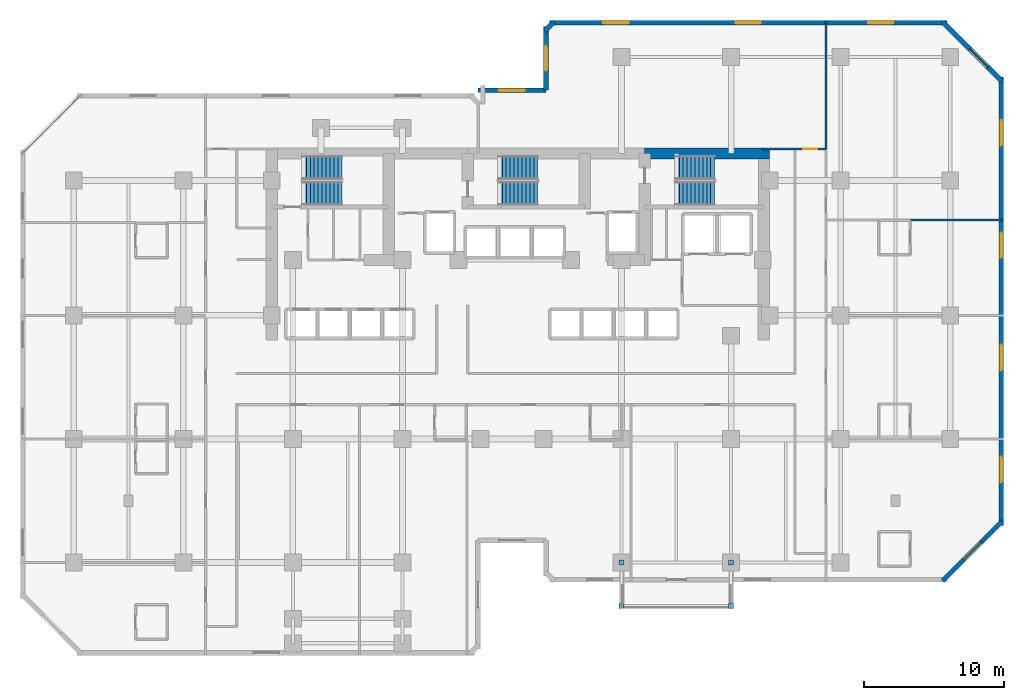
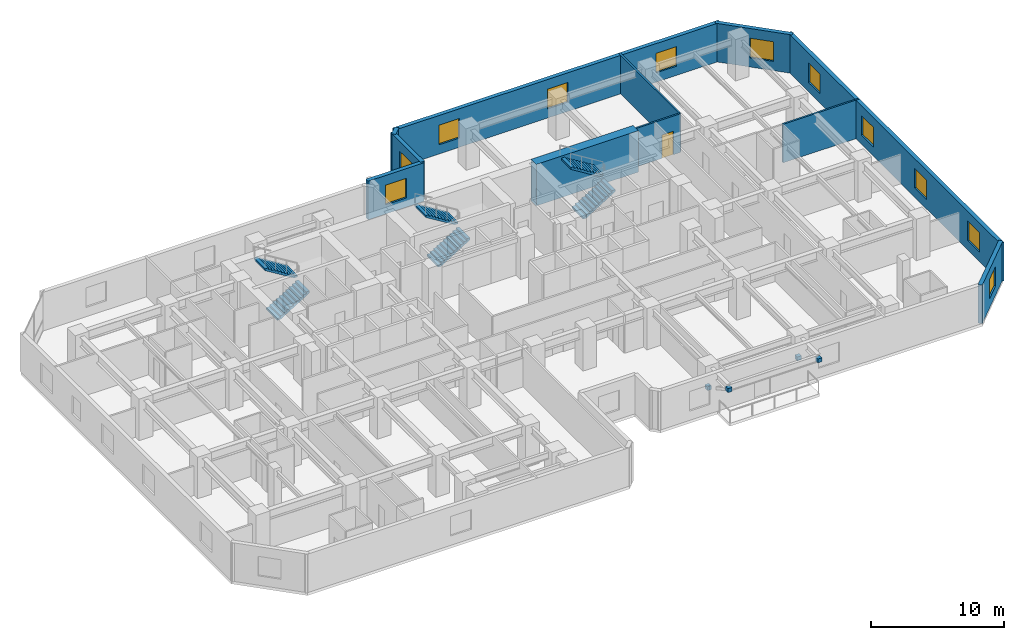
# One storey, part 9 of 11: 11 walls, 11 windows, 6 stair flights, 4 discrete accessories, 1 door, 12 openings, 3 elements without a shape of their own.
"""IFC4 building model written with IfcOpenShell, lengths in metres."""

from ifc_helpers import new_model, si_unit, direction, frame, frame_2d, origin, origin_2d, place, context, subcontext, project, spatial, polyline, rectangle, outline, extrude, material, layer, layer_set, type_object, element, fill, aggregate, save


model = new_model("IFC4")

# Units and contexts
model_context = context("Model", 3, precision=1e-05, world=origin(), true_north=direction((0.0, 1.0)))
body_context = subcontext(model_context, "Body", "Model", "MODEL_VIEW")
ifc_project = project(units=[si_unit("LENGTHUNIT", "METRE"), si_unit("AREAUNIT", "SQUARE_METRE"), si_unit("VOLUMEUNIT", "CUBIC_METRE"), si_unit("PLANEANGLEUNIT", "RADIAN"), si_unit("MASSUNIT", "GRAM", prefix="KILO")], contexts=[model_context])

# Site, building, storey
site_placement = place(None, origin())
site = spatial("IfcSite", under=ifc_project, at=site_placement, CompositionType="ELEMENT")
building_placement = place(site_placement, origin())
building = spatial("IfcBuilding", under=site, at=building_placement, Name="Kestravale Grand Hotel", CompositionType="ELEMENT")
storey_placement = place(building_placement, frame((0.0, 0.0, 107.0)))
storey = spatial("IfcBuildingStorey", under=building, at=storey_placement, Name="L26", CompositionType="ELEMENT", Elevation=107.0)

# Wall
ifc_material_1 = material(Name="Concrete f'c 60 MPa", Category="concrete")
ifc_layer_1 = layer(ifc_material_1, 0.800048828125)
ifc_layer_set_1 = layer_set([ifc_layer_1], Name="EW-CORE-800")
wall_type_1 = type_object("IfcWallType", Name="EW-CORE-800", PredefinedType="SHEAR", material=ifc_layer_set_1)
wall_1_placement = place(storey_placement, frame((48.449951171875, 40.320068359375, 0.0), z_axis=(0.0, 0.0, 1.0), x_axis=(1.0, 0.0, 0.0)))
element("IfcWall", 1, at=wall_1_placement, inside=storey, type_object=wall_type_1, Name="L26 core shear wall N3", PredefinedType="SHEAR", context=body_context, shape_type="SweptSolid", body=[
    extrude(rectangle(XDim=8.8701171875, YDim=0.800048828125, at=frame_2d((4.43505859375, 0.0))), origin(), (0.0, 0.0, 1.0), 3.800048828125),
])

# Wall, opening, window
ifc_material_2 = material(Name="Precast concrete f'c 45 MPa", Category="concrete")
ifc_layer_2 = layer(ifc_material_2, 0.340087890625)
ifc_layer_set_2 = layer_set([ifc_layer_2], Name="EW-PREC-340")
wall_type_2 = type_object("IfcWallType", Name="EW-PREC-340", PredefinedType="SOLIDWALL", material=ifc_layer_set_2)
wall_2_placement = place(storey_placement, frame((69.651611328125, 9.891845703125, 0.0), z_axis=(0.0, 0.0, 1.0), x_axis=(0.707106781187, 0.707106781187, 0.0)))
wall_2 = element("IfcWall", 2, at=wall_2_placement, inside=storey, type_object=wall_type_2, Name="L26 fluted precast facade wall 8", PredefinedType="SOLIDWALL", context=body_context, shape_type="SweptSolid", body=[
    extrude(rectangle(XDim=6.019775390625, YDim=0.340087890625, at=frame_2d((3.009765625, 0.0))), origin(), (0.0, 0.0, 1.0), 3.5400390625),
])
opening_1_placement = place(wall_2_placement, frame((2.10986328125, 0.0, 0.85009765625)))
opening_1 = element("IfcOpeningElement", 3, at=opening_1_placement, cuts=wall_2, Name="Opening W-GUEST-1800", PredefinedType="OPENING", context=body_context, shape_type="SweptSolid", body=[
    extrude(rectangle(XDim=1.800048828125, YDim=1.800048828125, at=frame_2d((0.89990234375, 0.89990234375))), frame((0.0, 0.179931640625, 0.0), z_axis=(0.0, -1.0, 0.0), x_axis=(1.0, 0.0, 0.0)), (0.0, 0.0, 1.0), 0.360107421875),
])
ifc_material_3 = material(Name="Insulated low-E double glazing in aluminium frame", Category="aluminium")
window_type = type_object("IfcWindowType", Name="W-GUEST-1800", PartitioningType="DOUBLE_PANEL_VERTICAL", PredefinedType="WINDOW", material=ifc_material_3)
window_1_placement = place(opening_1_placement, origin())
window_1 = element("IfcWindow", 4, at=window_1_placement, inside=storey, type_object=window_type, Name="L26 exterior window 8.1", OverallHeight=1.800048828125, OverallWidth=1.800048828125, PartitioningType="SINGLE_PANEL", PredefinedType="WINDOW", context=body_context, shape_type="SweptSolid", body=[
    extrude(rectangle(XDim=1.800048828125, YDim=1.800048828125, at=frame_2d((0.89990234375, 0.89990234375))), frame((0.0, 0.030029296875, 0.0), z_axis=(0.0, -1.0, 0.0), x_axis=(1.0, 0.0, 0.0)), (0.0, 0.0, 1.0), 0.06005859375),
])
fill(opening_1, window_1)

# Wall, openings, windows
wall_3_placement = place(storey_placement, frame((73.830078125, 13.830078125, 0.0), z_axis=(0.0, 0.0, 1.0), x_axis=(0.0, 1.0, 0.0)))
wall_3 = element("IfcWall", 5, at=wall_3_placement, inside=storey, type_object=wall_type_2, Name="L26 fluted precast facade wall 9", PredefinedType="SOLIDWALL", context=body_context, shape_type="SweptSolid", body=[
    extrude(rectangle(XDim=31.93994140625, YDim=0.340087890625, at=frame_2d((15.969970703125, 0.0))), origin(), (0.0, 0.0, 1.0), 3.5400390625),
])
opening_2_placement = place(wall_3_placement, frame((3.092529296875, 0.0, 0.85009765625)))
opening_2 = element("IfcOpeningElement", 6, at=opening_2_placement, cuts=wall_3, Name="Opening W-GUEST-1800", PredefinedType="OPENING", context=body_context, shape_type="SweptSolid", body=[
    extrude(rectangle(XDim=1.800048828125, YDim=1.800048828125, at=frame_2d((0.89990234375, 0.89990234375))), frame((0.0, 0.179931640625, 0.0), z_axis=(0.0, -1.0, 0.0), x_axis=(1.0, 0.0, 0.0)), (0.0, 0.0, 1.0), 0.360107421875),
])
opening_3_placement = place(wall_3_placement, frame((11.077392578125, 0.0, 0.85009765625)))
opening_3 = element("IfcOpeningElement", 7, at=opening_3_placement, cuts=wall_3, Name="Opening W-GUEST-1800", PredefinedType="OPENING", context=body_context, shape_type="SweptSolid", body=[
    extrude(rectangle(XDim=1.800048828125, YDim=1.800048828125, at=frame_2d((0.89990234375, 0.89990234375))), frame((0.0, 0.179931640625, 0.0), z_axis=(0.0, -1.0, 0.0), x_axis=(1.0, 0.0, 0.0)), (0.0, 0.0, 1.0), 0.360107421875),
])
opening_4_placement = place(wall_3_placement, frame((19.0625, 0.0, 0.85009765625)))
opening_4 = element("IfcOpeningElement", 8, at=opening_4_placement, cuts=wall_3, Name="Opening W-GUEST-1800", PredefinedType="OPENING", context=body_context, shape_type="SweptSolid", body=[
    extrude(rectangle(XDim=1.800048828125, YDim=1.800048828125, at=frame_2d((0.89990234375, 0.89990234375))), frame((0.0, 0.179931640625, 0.0), z_axis=(0.0, -1.0, 0.0), x_axis=(1.0, 0.0, 0.0)), (0.0, 0.0, 1.0), 0.360107421875),
])
opening_5_placement = place(wall_3_placement, frame((27.047607421875, 0.0, 0.85009765625)))
opening_5 = element("IfcOpeningElement", 9, at=opening_5_placement, cuts=wall_3, Name="Opening W-GUEST-1800", PredefinedType="OPENING", context=body_context, shape_type="SweptSolid", body=[
    extrude(rectangle(XDim=1.800048828125, YDim=1.800048828125, at=frame_2d((0.89990234375, 0.89990234375))), frame((0.0, 0.179931640625, 0.0), z_axis=(0.0, -1.0, 0.0), x_axis=(1.0, 0.0, 0.0)), (0.0, 0.0, 1.0), 0.360107421875),
])
window_2_placement = place(opening_2_placement, origin())
window_2 = element("IfcWindow", 10, at=window_2_placement, inside=storey, type_object=window_type, Name="L26 exterior window 9.1", OverallHeight=1.800048828125, OverallWidth=1.800048828125, PartitioningType="SINGLE_PANEL", PredefinedType="WINDOW", context=body_context, shape_type="SweptSolid", body=[
    extrude(rectangle(XDim=1.800048828125, YDim=1.800048828125, at=frame_2d((0.89990234375, 0.89990234375))), frame((0.0, 0.030029296875, 0.0), z_axis=(0.0, -1.0, 0.0), x_axis=(1.0, 0.0, 0.0)), (0.0, 0.0, 1.0), 0.06005859375),
])
fill(opening_2, window_2)
window_3_placement = place(opening_3_placement, origin())
window_3 = element("IfcWindow", 11, at=window_3_placement, inside=storey, type_object=window_type, Name="L26 exterior window 9.2", OverallHeight=1.800048828125, OverallWidth=1.800048828125, PartitioningType="SINGLE_PANEL", PredefinedType="WINDOW", context=body_context, shape_type="SweptSolid", body=[
    extrude(rectangle(XDim=1.800048828125, YDim=1.800048828125, at=frame_2d((0.89990234375, 0.89990234375))), frame((0.0, 0.030029296875, 0.0), z_axis=(0.0, -1.0, 0.0), x_axis=(1.0, 0.0, 0.0)), (0.0, 0.0, 1.0), 0.06005859375),
])
fill(opening_3, window_3)
window_4_placement = place(opening_4_placement, origin())
window_4 = element("IfcWindow", 12, at=window_4_placement, inside=storey, type_object=window_type, Name="L26 exterior window 9.3", OverallHeight=1.800048828125, OverallWidth=1.800048828125, PartitioningType="SINGLE_PANEL", PredefinedType="WINDOW", context=body_context, shape_type="SweptSolid", body=[
    extrude(rectangle(XDim=1.800048828125, YDim=1.800048828125, at=frame_2d((0.89990234375, 0.89990234375))), frame((0.0, 0.030029296875, 0.0), z_axis=(0.0, -1.0, 0.0), x_axis=(1.0, 0.0, 0.0)), (0.0, 0.0, 1.0), 0.06005859375),
])
fill(opening_4, window_4)
window_5_placement = place(opening_5_placement, origin())
window_5 = element("IfcWindow", 13, at=window_5_placement, inside=storey, type_object=window_type, Name="L26 exterior window 9.4", OverallHeight=1.800048828125, OverallWidth=1.800048828125, PartitioningType="SINGLE_PANEL", PredefinedType="WINDOW", context=body_context, shape_type="SweptSolid", body=[
    extrude(rectangle(XDim=1.800048828125, YDim=1.800048828125, at=frame_2d((0.89990234375, 0.89990234375))), frame((0.0, 0.030029296875, 0.0), z_axis=(0.0, -1.0, 0.0), x_axis=(1.0, 0.0, 0.0)), (0.0, 0.0, 1.0), 0.06005859375),
])
fill(opening_5, window_5)

# Wall, opening, window
wall_4_placement = place(storey_placement, frame((73.908203125, 45.451416015625, 0.0), z_axis=(0.0, 0.0, 1.0), x_axis=(-0.707106781187, 0.707106781187, 0.0)))
wall_4 = element("IfcWall", 14, at=wall_4_placement, inside=storey, type_object=wall_type_2, Name="L26 fluted precast facade wall 10", PredefinedType="SOLIDWALL", context=body_context, shape_type="SweptSolid", body=[
    extrude(rectangle(XDim=6.019775390625, YDim=0.340087890625, at=frame_2d((3.009765625, 0.0))), origin(), (0.0, 0.0, 1.0), 3.5400390625),
])
opening_6_placement = place(wall_4_placement, frame((1.4599609375, 0.0, 0.85009765625)))
opening_6 = element("IfcOpeningElement", 15, at=opening_6_placement, cuts=wall_4, Name="Opening W-GUEST-1800", PredefinedType="OPENING", context=body_context, shape_type="SweptSolid", body=[
    extrude(rectangle(XDim=1.800048828125, YDim=1.800048828125, at=frame_2d((0.89990234375, 0.89990234375))), frame((0.0, 0.179931640625, 0.0), z_axis=(0.0, -1.0, 0.0), x_axis=(1.0, 0.0, 0.0)), (0.0, 0.0, 1.0), 0.360107421875),
])
window_6_placement = place(opening_6_placement, origin())
window_6 = element("IfcWindow", 16, at=window_6_placement, inside=storey, type_object=window_type, Name="L26 exterior window 10.1", OverallHeight=1.800048828125, OverallWidth=1.800048828125, PartitioningType="SINGLE_PANEL", PredefinedType="WINDOW", context=body_context, shape_type="SweptSolid", body=[
    extrude(rectangle(XDim=1.800048828125, YDim=1.800048828125, at=frame_2d((0.89990234375, 0.89990234375))), frame((0.0, 0.030029296875, 0.0), z_axis=(0.0, -1.0, 0.0), x_axis=(1.0, 0.0, 0.0)), (0.0, 0.0, 1.0), 0.06005859375),
])
fill(opening_6, window_6)

# Wall, openings, windows
wall_5_placement = place(storey_placement, frame((69.969970703125, 49.6298828125, 0.0), z_axis=(0.0, 0.0, 1.0), x_axis=(-1.0, 0.0, 0.0)))
wall_5 = element("IfcWall", 17, at=wall_5_placement, inside=storey, type_object=wall_type_2, Name="L26 fluted precast facade wall 11", PredefinedType="SOLIDWALL", context=body_context, shape_type="SweptSolid", body=[
    extrude(rectangle(XDim=28.2900390625, YDim=0.340087890625, at=frame_2d((14.14501953125, 0.0))), origin(), (0.0, 0.0, 1.0), 3.5400390625),
])
opening_7_placement = place(wall_5_placement, frame((3.81494140625, 0.0, 0.85009765625)))
opening_7 = element("IfcOpeningElement", 18, at=opening_7_placement, cuts=wall_5, Name="Opening W-GUEST-1800", PredefinedType="OPENING", context=body_context, shape_type="SweptSolid", body=[
    extrude(rectangle(XDim=1.800048828125, YDim=1.800048828125, at=frame_2d((0.89990234375, 0.89990234375))), frame((0.0, 0.179931640625, 0.0), z_axis=(0.0, -1.0, 0.0), x_axis=(1.0, 0.0, 0.0)), (0.0, 0.0, 1.0), 0.360107421875),
])
opening_8_placement = place(wall_5_placement, frame((13.2451171875, 0.0, 0.85009765625)))
opening_8 = element("IfcOpeningElement", 19, at=opening_8_placement, cuts=wall_5, Name="Opening W-GUEST-1800", PredefinedType="OPENING", context=body_context, shape_type="SweptSolid", body=[
    extrude(rectangle(XDim=1.800048828125, YDim=1.800048828125, at=frame_2d((0.89990234375, 0.89990234375))), frame((0.0, 0.179931640625, 0.0), z_axis=(0.0, -1.0, 0.0), x_axis=(1.0, 0.0, 0.0)), (0.0, 0.0, 1.0), 0.360107421875),
])
opening_9_placement = place(wall_5_placement, frame((22.675048828125, 0.0, 0.85009765625)))
opening_9 = element("IfcOpeningElement", 20, at=opening_9_placement, cuts=wall_5, Name="Opening W-GUEST-1800", PredefinedType="OPENING", context=body_context, shape_type="SweptSolid", body=[
    extrude(rectangle(XDim=1.800048828125, YDim=1.800048828125, at=frame_2d((0.89990234375, 0.89990234375))), frame((0.0, 0.179931640625, 0.0), z_axis=(0.0, -1.0, 0.0), x_axis=(1.0, 0.0, 0.0)), (0.0, 0.0, 1.0), 0.360107421875),
])
window_7_placement = place(opening_7_placement, origin())
window_7 = element("IfcWindow", 21, at=window_7_placement, inside=storey, type_object=window_type, Name="L26 exterior window 11.1", OverallHeight=1.800048828125, OverallWidth=1.800048828125, PartitioningType="SINGLE_PANEL", PredefinedType="WINDOW", context=body_context, shape_type="SweptSolid", body=[
    extrude(rectangle(XDim=1.800048828125, YDim=1.800048828125, at=frame_2d((0.89990234375, 0.89990234375))), frame((0.0, 0.030029296875, 0.0), z_axis=(0.0, -1.0, 0.0), x_axis=(1.0, 0.0, 0.0)), (0.0, 0.0, 1.0), 0.06005859375),
])
fill(opening_7, window_7)
window_8_placement = place(opening_8_placement, origin())
window_8 = element("IfcWindow", 22, at=window_8_placement, inside=storey, type_object=window_type, Name="L26 exterior window 11.2", OverallHeight=1.800048828125, OverallWidth=1.800048828125, PartitioningType="SINGLE_PANEL", PredefinedType="WINDOW", context=body_context, shape_type="SweptSolid", body=[
    extrude(rectangle(XDim=1.800048828125, YDim=1.800048828125, at=frame_2d((0.89990234375, 0.89990234375))), frame((0.0, 0.030029296875, 0.0), z_axis=(0.0, -1.0, 0.0), x_axis=(1.0, 0.0, 0.0)), (0.0, 0.0, 1.0), 0.06005859375),
])
fill(opening_8, window_8)
window_9_placement = place(opening_9_placement, origin())
window_9 = element("IfcWindow", 23, at=window_9_placement, inside=storey, type_object=window_type, Name="L26 exterior window 11.3", OverallHeight=1.800048828125, OverallWidth=1.800048828125, PartitioningType="SINGLE_PANEL", PredefinedType="WINDOW", context=body_context, shape_type="SweptSolid", body=[
    extrude(rectangle(XDim=1.800048828125, YDim=1.800048828125, at=frame_2d((0.89990234375, 0.89990234375))), frame((0.0, 0.030029296875, 0.0), z_axis=(0.0, -1.0, 0.0), x_axis=(1.0, 0.0, 0.0)), (0.0, 0.0, 1.0), 0.06005859375),
])
fill(opening_9, window_9)

# Wall
wall_6_placement = place(storey_placement, frame((41.99853515625, 49.7080078125, 0.0), z_axis=(0.0, 0.0, 1.0), x_axis=(-0.707238225886, -0.706975312048, 0.0)))
element("IfcWall", 24, at=wall_6_placement, inside=storey, type_object=wall_type_2, Name="L26 fluted precast facade wall 12", PredefinedType="SOLIDWALL", context=body_context, shape_type="SweptSolid", body=[
    extrude(rectangle(XDim=0.9287109375, YDim=0.340087890625, at=frame_2d((0.46435546875, 0.0))), origin(), (0.0, 0.0, 1.0), 3.5400390625),
])

# Wall, opening, window
wall_7_placement = place(storey_placement, frame((41.419921875, 49.3701171875, 0.0), z_axis=(0.0, 0.0, 1.0), x_axis=(0.0, -1.0, 0.0)))
wall_7 = element("IfcWall", 25, at=wall_7_placement, inside=storey, type_object=wall_type_2, Name="L26 fluted precast facade wall 13", PredefinedType="SOLIDWALL", context=body_context, shape_type="SweptSolid", body=[
    extrude(rectangle(XDim=4.5400390625, YDim=0.340087890625, at=frame_2d((2.27001953125, 0.0))), origin(), (0.0, 0.0, 1.0), 3.5400390625),
])
opening_10_placement = place(wall_7_placement, frame((1.3701171875, 0.0, 0.85009765625)))
opening_10 = element("IfcOpeningElement", 26, at=opening_10_placement, cuts=wall_7, Name="Opening W-GUEST-1800", PredefinedType="OPENING", context=body_context, shape_type="SweptSolid", body=[
    extrude(rectangle(XDim=1.800048828125, YDim=1.800048828125, at=frame_2d((0.89990234375, 0.89990234375))), frame((0.0, 0.179931640625, 0.0), z_axis=(0.0, -1.0, 0.0), x_axis=(1.0, 0.0, 0.0)), (0.0, 0.0, 1.0), 0.360107421875),
])
window_10_placement = place(opening_10_placement, origin())
window_10 = element("IfcWindow", 27, at=window_10_placement, inside=storey, type_object=window_type, Name="L26 exterior window 13.1", OverallHeight=1.800048828125, OverallWidth=1.800048828125, PartitioningType="SINGLE_PANEL", PredefinedType="WINDOW", context=body_context, shape_type="SweptSolid", body=[
    extrude(rectangle(XDim=1.800048828125, YDim=1.800048828125, at=frame_2d((0.89990234375, 0.89990234375))), frame((0.0, 0.030029296875, 0.0), z_axis=(0.0, -1.0, 0.0), x_axis=(1.0, 0.0, 0.0)), (0.0, 0.0, 1.0), 0.06005859375),
])
fill(opening_10, window_10)

wall_8_placement = place(storey_placement, frame((41.419921875, 44.830078125, 0.0), z_axis=(0.0, 0.0, 1.0), x_axis=(-1.0, 0.0, 0.0)))
wall_8 = element("IfcWall", 28, at=wall_8_placement, inside=storey, type_object=wall_type_2, Name="L26 fluted precast facade wall 14", PredefinedType="SOLIDWALL", context=body_context, shape_type="SweptSolid", body=[
    extrude(rectangle(XDim=4.83984375, YDim=0.340087890625, at=frame_2d((2.419921875, 0.0))), origin(), (0.0, 0.0, 1.0), 3.5400390625),
])
opening_11_placement = place(wall_8_placement, frame((1.52001953125, 0.0, 0.85009765625)))
opening_11 = element("IfcOpeningElement", 29, at=opening_11_placement, cuts=wall_8, Name="Opening W-GUEST-1800", PredefinedType="OPENING", context=body_context, shape_type="SweptSolid", body=[
    extrude(rectangle(XDim=1.800048828125, YDim=1.800048828125, at=frame_2d((0.89990234375, 0.89990234375))), frame((0.0, 0.179931640625, 0.0), z_axis=(0.0, -1.0, 0.0), x_axis=(1.0, 0.0, 0.0)), (0.0, 0.0, 1.0), 0.360107421875),
])
window_11_placement = place(opening_11_placement, origin())
window_11 = element("IfcWindow", 30, at=window_11_placement, inside=storey, type_object=window_type, Name="L26 exterior window 14.1", OverallHeight=1.800048828125, OverallWidth=1.800048828125, PartitioningType="SINGLE_PANEL", PredefinedType="WINDOW", context=body_context, shape_type="SweptSolid", body=[
    extrude(rectangle(XDim=1.800048828125, YDim=1.800048828125, at=frame_2d((0.89990234375, 0.89990234375))), frame((0.0, 0.030029296875, 0.0), z_axis=(0.0, -1.0, 0.0), x_axis=(1.0, 0.0, 0.0)), (0.0, 0.0, 1.0), 0.06005859375),
])
fill(opening_11, window_11)

# Wall, opening, door
ifc_material_4 = material(Name="Double-stud STC 52 acoustic demising partition", Category="other")
ifc_layer_3 = layer(ifc_material_4, 0.14990234375)
ifc_layer_set_3 = layer_set([ifc_layer_3], Name="IW-UNIT-150")
wall_type_3 = type_object("IfcWallType", Name="IW-UNIT-150", PredefinedType="PARTITIONING", material=ifc_layer_set_3)
wall_9_placement = place(storey_placement, frame((56.800048828125, 40.64990234375, 0.0), z_axis=(0.0, 0.0, 1.0), x_axis=(1.0, 0.0, 0.0)))
wall_9 = element("IfcWall", 31, at=wall_9_placement, inside=storey, type_object=wall_type_3, Name="W-L26-SE-N", PredefinedType="PARTITIONING", context=body_context, shape_type="SweptSolid", body=[
    extrude(rectangle(XDim=4.56005859375, YDim=0.14990234375, at=frame_2d((2.280029296875, 0.0))), origin(), (0.0, 0.0, 1.0), 3.5400390625),
])
opening_12_placement = place(wall_9_placement, frame((2.949951171875, 0.0, 0.0)))
opening_12 = element("IfcOpeningElement", 32, at=opening_12_placement, cuts=wall_9, Name="Opening D-GUEST-1000", PredefinedType="OPENING", context=body_context, shape_type="SweptSolid", body=[
    extrude(rectangle(XDim=1.0, YDim=2.14990234375, at=frame_2d((0.5, 1.074951171875))), frame((0.0, 0.0849609375, 0.0), z_axis=(0.0, -1.0, 0.0), x_axis=(1.0, 0.0, 0.0)), (0.0, 0.0, 1.0), 0.169921875),
])
ifc_material_5 = material(Name="Accessible walnut veneer hotel entrance fire door", Category="wood")
door_type = type_object("IfcDoorType", Name="D-GUEST-1000", OperationType="NOTDEFINED", PredefinedType="DOOR", material=ifc_material_5)
door_placement = place(opening_12_placement, origin())
door = element("IfcDoor", 33, at=door_placement, inside=storey, type_object=door_type, Name="L26 NE Gallery Door", OperationType="SINGLE_SWING_LEFT", OverallHeight=2.14990234375, OverallWidth=1.0, PredefinedType="DOOR", context=body_context, shape_type="SweptSolid", body=[
    extrude(rectangle(XDim=1.0, YDim=2.14990234375, at=frame_2d((0.5, 1.074951171875))), frame((0.0, 0.02490234375, 0.0), z_axis=(0.0, -1.0, 0.0), x_axis=(1.0, 0.0, 0.0)), (0.0, 0.0, 1.0), 0.050048828125),
])
fill(opening_12, door)

# Walls
wall_10_placement = place(storey_placement, frame((61.360107421875, 40.64990234375, 0.0), z_axis=(0.0, 0.0, 1.0), x_axis=(0.0, 1.0, 0.0)))
element("IfcWall", 34, at=wall_10_placement, inside=storey, type_object=wall_type_3, Name="W-L26-NGE-E", PredefinedType="PARTITIONING", context=body_context, shape_type="SweptSolid", body=[
    extrude(rectangle(XDim=9.130126953125, YDim=0.14990234375, at=frame_2d((4.56494140625, 0.0))), origin(), (0.0, 0.0, 1.0), 3.5400390625),
])
wall_11_placement = place(storey_placement, frame((67.35009765625, 35.60009765625, 0.0), z_axis=(0.0, 0.0, 1.0), x_axis=(1.0, 0.0, 0.0)))
element("IfcWall", 35, at=wall_11_placement, inside=storey, type_object=wall_type_3, Name="W-L26-EW-3", PredefinedType="PARTITIONING", context=body_context, shape_type="SweptSolid", body=[
    extrude(rectangle(XDim=6.6298828125, YDim=0.14990234375, at=frame_2d((3.31494140625, 0.0))), origin(), (0.0, 0.0, 1.0), 3.5400390625),
])

# Stair, stair flights
ifc_material_6 = material(Name="Concrete f'c 45 MPa", Category="concrete")
stair_type = type_object("IfcStairType", Name="ST-CORE-380", PredefinedType="HALF_TURN_STAIR", material=ifc_material_6)
stair_1_placement = place(storey_placement, origin())
stair_1 = element("IfcStair", 36, at=stair_1_placement, inside=storey, type_object=stair_type, Name="L26 ST-1", PredefinedType="HALF_TURN_STAIR")
ifc_material_7 = material(Name="Concrete f'c 45 MPa", Category="concrete")
stair_flight_type = type_object("IfcStairFlightType", Name="STF-CORE-380", PredefinedType="STRAIGHT", material=ifc_material_7)
stair_flight_1_placement = place(storey_placement, frame((24.080078125, 37.489990234375, 0.0), z_axis=(0.0, 0.0, 1.0), x_axis=(1.0, 0.0, 0.0)))
stair_flight_1 = element("IfcStairFlight", 37, at=stair_flight_1_placement, type_object=stair_flight_type, Name="ST-1 flight 1", NumberOfRisers=11, NumberOfTreads=10, PredefinedType="STRAIGHT", RiserHeight=0.172727273, TreadLength=0.28, context=body_context, shape_type="SweptSolid", body=[
    extrude(outline(polyline([(0.0, 0.0), (0.0, 0.172607421875), (0.280029296875, 0.172607421875), (0.280029296875, 0.345458984375), (0.56005859375, 0.345458984375), (0.56005859375, 0.51806640625), (0.840087890625, 0.51806640625), (0.840087890625, 0.69091796875), (1.1201171875, 0.69091796875), (1.1201171875, 0.863525390625), (1.39990234375, 0.863525390625), (1.39990234375, 1.036376953125), (1.679931640625, 1.036376953125), (1.679931640625, 1.208984375), (1.9599609375, 1.208984375), (1.9599609375, 1.3818359375), (2.239990234375, 1.3818359375), (2.239990234375, 1.554443359375), (2.52001953125, 1.554443359375), (2.52001953125, 1.727294921875), (2.800048828125, 1.727294921875), (2.800048828125, 1.89990234375), (2.800048828125, 1.551025390625), (0.285400390625, 0.0), (0.0, 0.0)])), frame((0.0, 0.83984375, 0.0), z_axis=(0.0, -1.0, 0.0), x_axis=(1.0, 0.0, 0.0)), (0.0, 0.0, 1.0), 1.679931640625),
])
stair_flight_2_placement = place(storey_placement, frame((26.8798828125, 39.320068359375, 1.89990234375), z_axis=(0.0, 0.0, 1.0), x_axis=(-1.0, 0.0, 0.0)))
stair_flight_2 = element("IfcStairFlight", 38, at=stair_flight_2_placement, type_object=stair_flight_type, Name="ST-1 flight 2", NumberOfRisers=11, NumberOfTreads=10, PredefinedType="STRAIGHT", RiserHeight=0.172727273, TreadLength=0.28, context=body_context, shape_type="SweptSolid", body=[
    extrude(outline(polyline([(0.0, 0.0), (0.0, 0.172607421875), (0.280029296875, 0.172607421875), (0.280029296875, 0.345458984375), (0.56005859375, 0.345458984375), (0.56005859375, 0.51806640625), (0.840087890625, 0.51806640625), (0.840087890625, 0.69091796875), (1.1201171875, 0.69091796875), (1.1201171875, 0.863525390625), (1.39990234375, 0.863525390625), (1.39990234375, 1.036376953125), (1.679931640625, 1.036376953125), (1.679931640625, 1.208984375), (1.9599609375, 1.208984375), (1.9599609375, 1.3818359375), (2.239990234375, 1.3818359375), (2.239990234375, 1.554443359375), (2.52001953125, 1.554443359375), (2.52001953125, 1.727294921875), (2.800048828125, 1.727294921875), (2.800048828125, 1.89990234375), (2.800048828125, 1.551025390625), (0.285400390625, 0.0), (0.0, 0.0)])), frame((0.0, 0.83984375, 0.0), z_axis=(0.0, -1.0, 0.0), x_axis=(1.0, 0.0, 0.0)), (0.0, 0.0, 1.0), 1.679931640625),
])
aggregate(stair_1, [stair_flight_1, stair_flight_2])

stair_2_placement = place(storey_placement, origin())
stair_2 = element("IfcStair", 39, at=stair_2_placement, inside=storey, type_object=stair_type, Name="L26 ST-2", PredefinedType="HALF_TURN_STAIR")
stair_flight_3_placement = place(storey_placement, frame((38.030029296875, 37.489990234375, 0.0), z_axis=(0.0, 0.0, 1.0), x_axis=(1.0, 0.0, 0.0)))
stair_flight_3 = element("IfcStairFlight", 40, at=stair_flight_3_placement, type_object=stair_flight_type, Name="ST-2 flight 1", NumberOfRisers=11, NumberOfTreads=10, PredefinedType="STRAIGHT", RiserHeight=0.172727273, TreadLength=0.28, context=body_context, shape_type="SweptSolid", body=[
    extrude(outline(polyline([(0.0, 0.0), (0.0, 0.172607421875), (0.280029296875, 0.172607421875), (0.280029296875, 0.345458984375), (0.56005859375, 0.345458984375), (0.56005859375, 0.51806640625), (0.840087890625, 0.51806640625), (0.840087890625, 0.69091796875), (1.1201171875, 0.69091796875), (1.1201171875, 0.863525390625), (1.39990234375, 0.863525390625), (1.39990234375, 1.036376953125), (1.679931640625, 1.036376953125), (1.679931640625, 1.208984375), (1.9599609375, 1.208984375), (1.9599609375, 1.3818359375), (2.239990234375, 1.3818359375), (2.239990234375, 1.554443359375), (2.52001953125, 1.554443359375), (2.52001953125, 1.727294921875), (2.800048828125, 1.727294921875), (2.800048828125, 1.89990234375), (2.800048828125, 1.551025390625), (0.285400390625, 0.0), (0.0, 0.0)])), frame((0.0, 0.83984375, 0.0), z_axis=(0.0, -1.0, 0.0), x_axis=(1.0, 0.0, 0.0)), (0.0, 0.0, 1.0), 1.679931640625),
])
stair_flight_4_placement = place(storey_placement, frame((40.830078125, 39.320068359375, 1.89990234375), z_axis=(0.0, 0.0, 1.0), x_axis=(-1.0, 0.0, 0.0)))
stair_flight_4 = element("IfcStairFlight", 41, at=stair_flight_4_placement, type_object=stair_flight_type, Name="ST-2 flight 2", NumberOfRisers=11, NumberOfTreads=10, PredefinedType="STRAIGHT", RiserHeight=0.172727273, TreadLength=0.28, context=body_context, shape_type="SweptSolid", body=[
    extrude(outline(polyline([(0.0, 0.0), (0.0, 0.172607421875), (0.280029296875, 0.172607421875), (0.280029296875, 0.345458984375), (0.56005859375, 0.345458984375), (0.56005859375, 0.51806640625), (0.840087890625, 0.51806640625), (0.840087890625, 0.69091796875), (1.1201171875, 0.69091796875), (1.1201171875, 0.863525390625), (1.39990234375, 0.863525390625), (1.39990234375, 1.036376953125), (1.679931640625, 1.036376953125), (1.679931640625, 1.208984375), (1.9599609375, 1.208984375), (1.9599609375, 1.3818359375), (2.239990234375, 1.3818359375), (2.239990234375, 1.554443359375), (2.52001953125, 1.554443359375), (2.52001953125, 1.727294921875), (2.800048828125, 1.727294921875), (2.800048828125, 1.89990234375), (2.800048828125, 1.551025390625), (0.285400390625, 0.0), (0.0, 0.0)])), frame((0.0, 0.83984375, 0.0), z_axis=(0.0, -1.0, 0.0), x_axis=(1.0, 0.0, 0.0)), (0.0, 0.0, 1.0), 1.679931640625),
])
aggregate(stair_2, [stair_flight_3, stair_flight_4])

stair_3_placement = place(storey_placement, origin())
stair_3 = element("IfcStair", 42, at=stair_3_placement, inside=storey, type_object=stair_type, Name="L26 ST-3", PredefinedType="HALF_TURN_STAIR")
stair_flight_5_placement = place(storey_placement, frame((50.6298828125, 37.489990234375, 0.0), z_axis=(0.0, 0.0, 1.0), x_axis=(1.0, 0.0, 0.0)))
stair_flight_5 = element("IfcStairFlight", 43, at=stair_flight_5_placement, type_object=stair_flight_type, Name="ST-3 flight 1", NumberOfRisers=11, NumberOfTreads=10, PredefinedType="STRAIGHT", RiserHeight=0.172727273, TreadLength=0.28, context=body_context, shape_type="SweptSolid", body=[
    extrude(outline(polyline([(0.0, 0.0), (0.0, 0.172607421875), (0.280029296875, 0.172607421875), (0.280029296875, 0.345458984375), (0.56005859375, 0.345458984375), (0.56005859375, 0.51806640625), (0.840087890625, 0.51806640625), (0.840087890625, 0.69091796875), (1.1201171875, 0.69091796875), (1.1201171875, 0.863525390625), (1.39990234375, 0.863525390625), (1.39990234375, 1.036376953125), (1.679931640625, 1.036376953125), (1.679931640625, 1.208984375), (1.9599609375, 1.208984375), (1.9599609375, 1.3818359375), (2.239990234375, 1.3818359375), (2.239990234375, 1.554443359375), (2.52001953125, 1.554443359375), (2.52001953125, 1.727294921875), (2.800048828125, 1.727294921875), (2.800048828125, 1.89990234375), (2.800048828125, 1.551025390625), (0.285400390625, 0.0), (0.0, 0.0)])), frame((0.0, 0.83984375, 0.0), z_axis=(0.0, -1.0, 0.0), x_axis=(1.0, 0.0, 0.0)), (0.0, 0.0, 1.0), 1.679931640625),
])
stair_flight_6_placement = place(storey_placement, frame((53.429931640625, 39.320068359375, 1.89990234375), z_axis=(0.0, 0.0, 1.0), x_axis=(-1.0, 0.0, 0.0)))
stair_flight_6 = element("IfcStairFlight", 44, at=stair_flight_6_placement, type_object=stair_flight_type, Name="ST-3 flight 2", NumberOfRisers=11, NumberOfTreads=10, PredefinedType="STRAIGHT", RiserHeight=0.172727273, TreadLength=0.28, context=body_context, shape_type="SweptSolid", body=[
    extrude(outline(polyline([(0.0, 0.0), (0.0, 0.172607421875), (0.280029296875, 0.172607421875), (0.280029296875, 0.345458984375), (0.56005859375, 0.345458984375), (0.56005859375, 0.51806640625), (0.840087890625, 0.51806640625), (0.840087890625, 0.69091796875), (1.1201171875, 0.69091796875), (1.1201171875, 0.863525390625), (1.39990234375, 0.863525390625), (1.39990234375, 1.036376953125), (1.679931640625, 1.036376953125), (1.679931640625, 1.208984375), (1.9599609375, 1.208984375), (1.9599609375, 1.3818359375), (2.239990234375, 1.3818359375), (2.239990234375, 1.554443359375), (2.52001953125, 1.554443359375), (2.52001953125, 1.727294921875), (2.800048828125, 1.727294921875), (2.800048828125, 1.89990234375), (2.800048828125, 1.551025390625), (0.285400390625, 0.0), (0.0, 0.0)])), frame((0.0, 0.83984375, 0.0), z_axis=(0.0, -1.0, 0.0), x_axis=(1.0, 0.0, 0.0)), (0.0, 0.0, 1.0), 1.679931640625),
])
aggregate(stair_3, [stair_flight_5, stair_flight_6])

# Discrete accessories
ifc_material_8 = material(Name="Steel ASTM A572 Grade 50 hot-dip galvanised bracket", Category="steel")
discrete_accessory_type = type_object("IfcDiscreteAccessoryType", Name="ACC-BRK-STL", PredefinedType="BRACKET", material=ifc_material_8)
for number, where, z_axis, x_axis, name in (
    (45, (46.800048828125, 11.199951171875, 1.19384765625), (0.0, 0.0, 1.0), (1.0, 0.0, 0.0), "L27 terrace strut column bracket 1"),
    (46, (46.800048828125, 8.10009765625, 2.89404296875), (0.0, 0.0, 1.0), (1.0, 0.0, 0.0), "L27 terrace strut beam bracket 1"),
    (47, (54.60009765625, 11.199951171875, 1.19384765625), (0.0, 0.0, 1.0), (1.0, 0.0, 0.0), "L27 terrace strut column bracket 2"),
    (48, (54.60009765625, 8.10009765625, 2.89404296875), (0.0, 0.0, 1.0), (1.0, 0.0, 0.0), "L27 terrace strut beam bracket 2"),
):
    element("IfcDiscreteAccessory", number, at=place(storey_placement, frame(where, z_axis=z_axis, x_axis=x_axis)), inside=storey, type_object=discrete_accessory_type, Name=name, PredefinedType="BRACKET", context=body_context, shape_type="SweptSolid", body=[
        extrude(rectangle(XDim=0.360107421875, YDim=0.360107421875, at=origin_2d()), origin(), (0.0, 0.0, 1.0), 0.360107421875),
    ])

save(model, "model.ifc")
